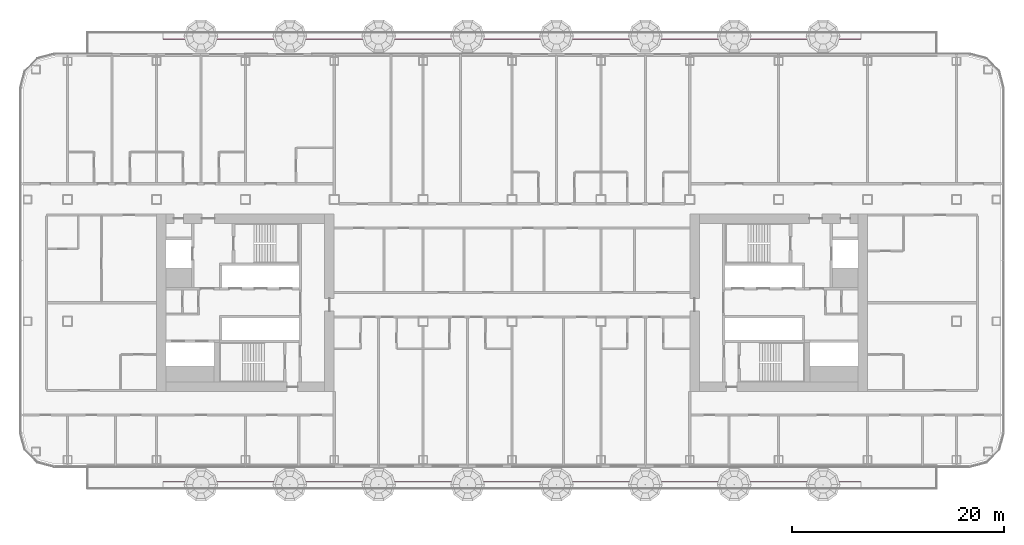
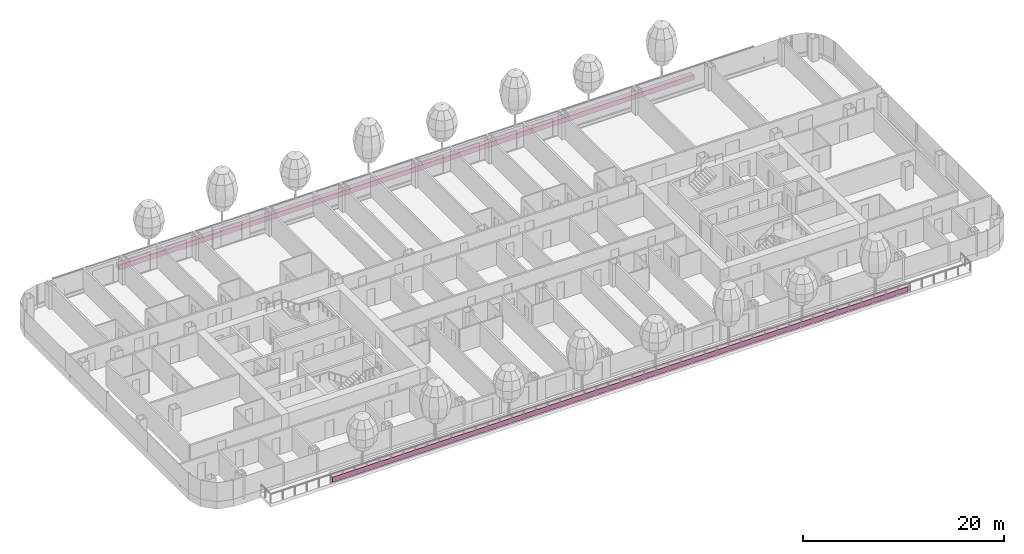
# One storey, part 30 of 34: 2 furniture elements.
"""IFC4 building model written with IfcOpenShell, lengths in metres."""

import ifcopenshell
import ifcopenshell.guid

model = None  # the IFC model being written
_history = None  # IfcOwnerHistory: only IFC2X3 demands one
_inside = {}  # id of a spatial element -> (the spatial element, [elements in it])
_under = {}  # id of a project, library or spatial element -> (it, [spatial elements below it])
_declared = {}  # id of a project -> (the project, [libraries it declares])
_typed = {}  # id of a type object -> (the type object, [elements of that type])
_made_of = {}  # id of a material, layer set ... -> (it, [elements and type objects made of it])


def new_model(schema):
    """Start an empty IFC model of exactly this schema.

    Asked for "IFC4X3", IfcOpenShell would pick the latest addendum, in which some entities
    have other attributes; the version numbers below select the first issue.
    IFC2X3 requires an IfcOwnerHistory on every rooted entity: one is made here for all.
    """
    global model, _history
    if schema == "IFC4X3":
        model = ifcopenshell.file(schema_version=(4, 3, 0, 0))
    else:
        model = ifcopenshell.file(schema=schema)
    _inside.clear()
    _under.clear()
    _declared.clear()
    _typed.clear()
    _made_of.clear()
    _history = None
    if model.schema == "IFC2X3":
        org = make("IfcOrganization", Name="unknown")
        user = make(
            "IfcPersonAndOrganization",
            ThePerson=make("IfcPerson", FamilyName="unknown"),
            TheOrganization=org,
        )
        app = make(
            "IfcApplication",
            ApplicationDeveloper=org,
            Version="unknown",
            ApplicationFullName="unknown",
            ApplicationIdentifier="unknown",
        )
        _history = make(
            "IfcOwnerHistory",
            OwningUser=user,
            OwningApplication=app,
            ChangeAction="ADDED",
            CreationDate=0,
        )
    return model


def make(cls, **values):
    """One entity of the class cls with the attributes given. An attribute that is None is left unset."""
    return model.create_entity(
        cls, **{name: value for name, value in values.items() if value is not None}
    )


def rooted(cls, **values):
    """An entity with a GlobalId (a new one), such as an element, a storey or a relation."""
    return make(cls, GlobalId=ifcopenshell.guid.new(), OwnerHistory=_history, **values)


def si_unit(unit_type, name, prefix=None):
    """IfcSIUnit, for example si_unit("LENGTHUNIT", "METRE", prefix="MILLI")."""
    return make("IfcSIUnit", UnitType=unit_type, Prefix=prefix, Name=name)


def assignment(units):
    """IfcUnitAssignment: the units of a project."""
    return None if units is None else make("IfcUnitAssignment", Units=units)


def point(xyz):
    """IfcCartesianPoint."""
    return None if xyz is None else make("IfcCartesianPoint", Coordinates=xyz)


def direction(xyz):
    """IfcDirection."""
    return None if xyz is None else make("IfcDirection", DirectionRatios=xyz)


def frame(location, z_axis=None, x_axis=None):
    """IfcAxis2Placement3D, a coordinate frame: its origin and axes. An axis left out is left unset."""
    return make(
        "IfcAxis2Placement3D",
        Location=point(location),
        Axis=direction(z_axis),
        RefDirection=direction(x_axis),
    )


def frame_2d(location, x_axis=None):
    """IfcAxis2Placement2D, a coordinate frame in the plane: its origin and x axis."""
    return make(
        "IfcAxis2Placement2D", Location=point(location), RefDirection=direction(x_axis)
    )


def origin():
    """The frame at (0, 0, 0) with its axes left unset."""
    return frame((0.0, 0.0, 0.0))


def origin_2d():
    """The frame at (0, 0) in the plane with its x axis left unset."""
    return frame_2d((0.0, 0.0))


def place(relative_to, where):
    """IfcLocalPlacement: puts the frame where relative to a parent placement (None: the world)."""
    return make(
        "IfcLocalPlacement", PlacementRelTo=relative_to, RelativePlacement=where
    )


def context(
    kind, dimensions, precision=None, world=None, true_north=None, identifier=None
):
    """IfcGeometricRepresentationContext, for example the 3D "Model" context."""
    return make(
        "IfcGeometricRepresentationContext",
        ContextIdentifier=identifier,
        ContextType=kind,
        CoordinateSpaceDimension=dimensions,
        Precision=precision,
        WorldCoordinateSystem=world,
        TrueNorth=true_north,
    )


def subcontext(parent, identifier, kind, view, scale=None):
    """IfcGeometricRepresentationSubContext, for example "Body" below "Model"."""
    return make(
        "IfcGeometricRepresentationSubContext",
        ContextIdentifier=identifier,
        ContextType=kind,
        ParentContext=parent,
        TargetScale=scale,
        TargetView=view,
    )


def project(units=None, contexts=None):
    """IfcProject with its units and contexts."""
    return rooted(
        "IfcProject",
        Name="project",
        RepresentationContexts=contexts,
        UnitsInContext=assignment(units),
    )


def spatial(cls, under=None, at=None, **own):
    """A site, building, storey or space (cls), placed at a placement, below another one or the project."""
    s = rooted(cls, ObjectPlacement=at, **own)
    if under is not None:
        _under.setdefault(under.id(), (under, []))[1].append(s)
    return s


def profile(cls, at=None, kind="AREA", **sizes):
    """A parametric profile (cls). Its sizes go by their IFC names, for example OverallWidth=200.0."""
    return make(cls, ProfileType=kind, Position=at, **sizes)


def rectangle(**sizes):
    """IfcRectangleProfileDef."""
    return profile("IfcRectangleProfileDef", **sizes)


def extrude(swept, where, along, depth):
    """IfcExtrudedAreaSolid: the profile swept, set in the frame where, extruded along a direction by depth."""
    return make(
        "IfcExtrudedAreaSolid",
        SweptArea=swept,
        Position=where,
        ExtrudedDirection=direction(along),
        Depth=depth,
    )


def shape(context_of_items, identifier, shape_type, items):
    """IfcShapeRepresentation: the items that make up one representation, for example the "Body"."""
    return make(
        "IfcShapeRepresentation",
        ContextOfItems=context_of_items,
        RepresentationIdentifier=identifier,
        RepresentationType=shape_type,
        Items=items,
    )


def material(Name=None, Category=None):
    """IfcMaterial."""
    return make("IfcMaterial", Name=Name, Category=Category)


def made_of(thing, what):
    """Note that an element or type object is made of a material, layer set ...; save() writes the relation."""
    if what is not None:
        _made_of.setdefault(what.id(), (what, []))[1].append(thing)
    return thing


def type_object(cls, material=None, **own):
    """A type object (cls), such as IfcWallType, which elements share."""
    return made_of(rooted(cls, **own), material)


def element(
    cls,
    number,
    at=None,
    inside=None,
    cuts=None,
    type_object=None,
    material=None,
    context=None,
    identifier="Body",
    shape_type=None,
    held_by="IfcProductDefinitionShape",
    body=None,
    shapes=None,
    **own,
):
    """One element of the class cls, such as IfcWall. Its Tag is "e" and its number.

    at: its placement. inside: the storey or other place that contains it. cuts: it is an
    opening in that element (IfcRelVoidsElement). A single representation is given by context,
    identifier, shape_type and body (its items); several are given by shapes. held_by: the class
    of the entity that holds the representations. save() writes the other relations.
    """
    e = rooted(cls, Tag="e%d" % number, ObjectPlacement=at, **own)
    if body is not None:
        shapes = [shape(context, identifier, shape_type, body)]
    if shapes is not None:
        e.Representation = make(held_by, Representations=shapes)
    if inside is not None:
        _inside.setdefault(inside.id(), (inside, []))[1].append(e)
    if cuts is not None:
        rooted(
            "IfcRelVoidsElement", RelatingBuildingElement=cuts, RelatedOpeningElement=e
        )
    if type_object is not None:
        _typed.setdefault(type_object.id(), (type_object, []))[1].append(e)
    return made_of(e, material)


def aggregate(whole, parts):
    """IfcRelAggregates: a whole, such as a stair, and the parts it consists of."""
    return rooted("IfcRelAggregates", RelatingObject=whole, RelatedObjects=parts)


def save(model, path):
    """Write the relations noted so far, then the file.

    IfcRelAggregates (storeys below a building ...), IfcRelContainedInSpatialStructure (elements
    in a storey), IfcRelDefinesByType, IfcRelAssociatesMaterial and IfcRelDeclares: one each for
    every whole, place, type object, material and project.
    """
    for whole, parts in _under.values():
        aggregate(whole, parts)
    for where, things in _inside.values():
        rooted(
            "IfcRelContainedInSpatialStructure",
            RelatedElements=things,
            RelatingStructure=where,
        )
    for kind, things in _typed.values():
        rooted("IfcRelDefinesByType", RelatedObjects=things, RelatingType=kind)
    for what, things in _made_of.values():
        rooted("IfcRelAssociatesMaterial", RelatedObjects=things, RelatingMaterial=what)
    for by, libraries in _declared.values():
        rooted("IfcRelDeclares", RelatingContext=by, RelatedDefinitions=libraries)
    model.write(path)


model = new_model("IFC4")

# Units and contexts
model_context = context("Model", 3, precision=1e-05, world=origin(), true_north=direction((0.0, 1.0)))
body_context = subcontext(model_context, "Body", "Model", "MODEL_VIEW")
ifc_project = project(units=[si_unit("LENGTHUNIT", "METRE"), si_unit("AREAUNIT", "SQUARE_METRE"), si_unit("VOLUMEUNIT", "CUBIC_METRE"), si_unit("PLANEANGLEUNIT", "RADIAN"), si_unit("MASSUNIT", "GRAM", prefix="KILO")], contexts=[model_context])

# Site, building, storey
site_placement = place(None, origin())
site = spatial("IfcSite", under=ifc_project, at=site_placement, CompositionType="ELEMENT")
building_placement = place(site_placement, origin())
building = spatial("IfcBuilding", under=site, at=building_placement, Name="Hakoniwa Tower and Hamabe Station Hall", CompositionType="ELEMENT")
storey_placement = place(building_placement, frame((0.0, 0.0, 94.60009765625)))
storey = spatial("IfcBuildingStorey", under=building, at=storey_placement, Name="L26", CompositionType="ELEMENT", Elevation=94.60009765625)

# Furniture
ifc_material = material(Name="Aluminium 6063-T5 black anodised trough with lightweight soil", Category="aluminium")
furniture_type = type_object("IfcFurnitureType", Name="Planter 600x600", AssemblyPlace="SITE", PredefinedType="USERDEFINED", material=ifc_material)
for number, where, z_axis, x_axis, name in (
    (1, (0.0, 25.199951171875, -0.000244140625), (0.0, 0.0, 1.0), (1.0, 0.0, 0.0), "Planter 600x600"),
    (2, (0.0, -17.199951171875, -0.000244140625), (0.0, 0.0, 1.0), (1.0, 0.0, 0.0), "Planter 600x600"),
):
    element("IfcFurniture", number, at=place(storey_placement, frame(where, z_axis=z_axis, x_axis=x_axis)), inside=storey, type_object=furniture_type, Name=name, ObjectType="PLANTER", PredefinedType="USERDEFINED", context=body_context, shape_type="SweptSolid", body=[
        extrude(rectangle(XDim=66.0, YDim=0.60009765625, at=origin_2d()), origin(), (0.0, 0.0, 1.0), 0.60009765625),
    ])

save(model, "model.ifc")
